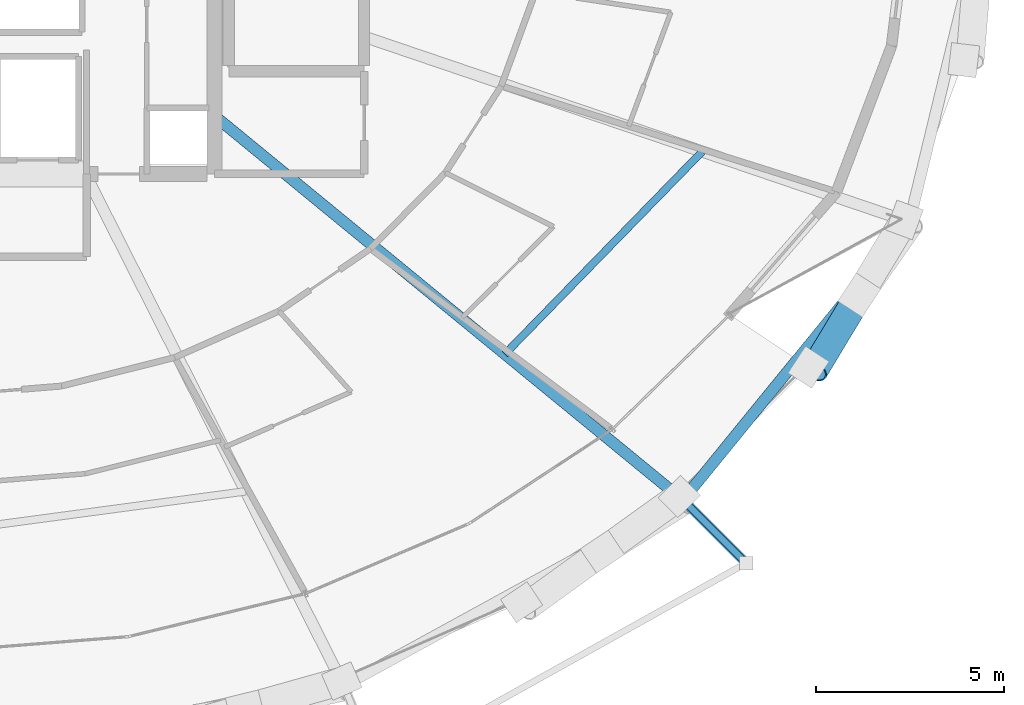
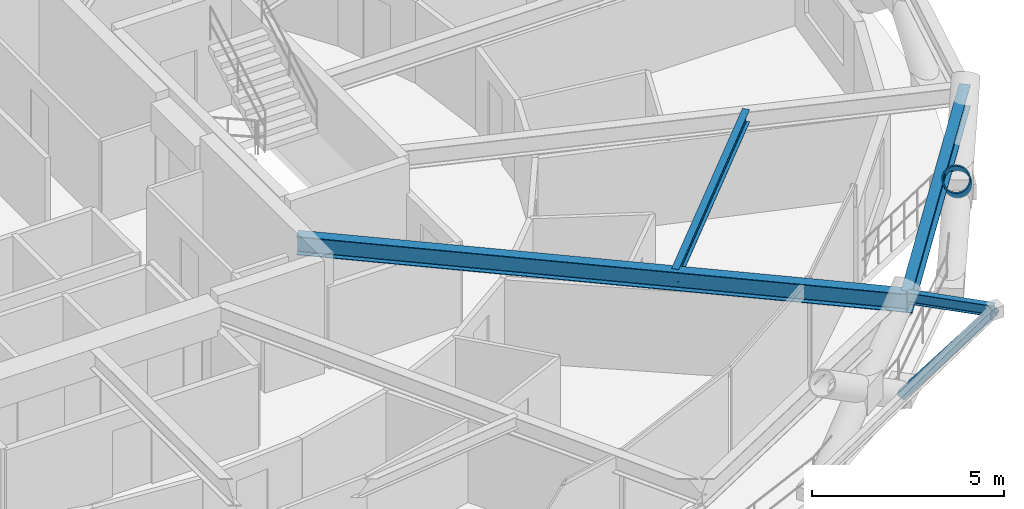
# One storey, part 9 of 19: 4 beams, 2 members.
"""IFC4 building model written with IfcOpenShell, lengths in metres."""

from ifc_helpers import new_model, si_unit, direction, frame, origin, origin_2d, place, context, subcontext, project, spatial, hollow_rectangle, hollow_circle, i_section, extrude, material, material_profile, profile_set, type_object, element, save


model = new_model("IFC4")

# Units and contexts
model_context = context("Model", 3, precision=1e-05, world=origin(), true_north=direction((0.0, 1.0)))
body_context = subcontext(model_context, "Body", "Model", "MODEL_VIEW")
ifc_project = project(units=[si_unit("LENGTHUNIT", "METRE"), si_unit("AREAUNIT", "SQUARE_METRE"), si_unit("VOLUMEUNIT", "CUBIC_METRE"), si_unit("PLANEANGLEUNIT", "RADIAN"), si_unit("MASSUNIT", "GRAM", prefix="KILO")], contexts=[model_context])

# Site, building, storey
site_placement = place(None, origin())
site = spatial("IfcSite", under=ifc_project, at=site_placement, CompositionType="ELEMENT")
building_placement = place(site_placement, origin())
building = spatial("IfcBuilding", under=site, at=building_placement, Name="Veldorina Hangang Commons", CompositionType="ELEMENT")
storey_placement = place(building_placement, frame((0.0, 0.0, 34.0)))
storey = spatial("IfcBuildingStorey", under=building, at=storey_placement, Name="L07", CompositionType="ELEMENT", Elevation=34.0)

# Beams
ifc_material_1 = material(Name="Steel SM355-TMC", Category="steel")
ifc_material_profile_1 = material_profile(ifc_material_1, i_section(OverallWidth=0.175048828125, OverallDepth=0.35009765625, WebThickness=0.007080078125, FlangeThickness=0.010986328125, FilletRadius=0.012939453125, at=origin_2d()), Name="H-350x175x7x11")
ifc_profile_set_1 = profile_set([ifc_material_profile_1], Name="Steel SM355-TMC")
beam_type_1 = type_object("IfcBeamType", Name="BM-FG350", PredefinedType="BEAM", material=ifc_profile_set_1)
beam_1_placement = place(storey_placement, frame((51.681396484375, 7.85400390625, 3.1650390625), z_axis=(0.707158722772, -0.707054835785, 0.0), x_axis=(0.707054835785, 0.707158722772, 0.0)))
element("IfcBeam", 1, at=beam_1_placement, inside=storey, type_object=beam_type_1, Name="L08 tree balcony 2 bracket beam B", PredefinedType="BEAM", context=body_context, shape_type="SweptSolid", body=[
    extrude(i_section(OverallWidth=0.175048828125, OverallDepth=0.35009765625, WebThickness=0.007080078125, FlangeThickness=0.010986328125, FilletRadius=0.012939453125, at=origin_2d()), origin(), (0.0, 0.0, 1.0), 2.35009765625),
])
ifc_material_2 = material(Name="Steel SM460-TMC", Category="steel")
ifc_material_profile_2 = material_profile(ifc_material_2, i_section(OverallWidth=0.300048828125, OverallDepth=0.587890625, WebThickness=0.011962890625, FlangeThickness=0.02001953125, FilletRadius=0.01806640625, at=origin_2d()), Name="H-588x300x12x20")
ifc_profile_set_2 = profile_set([ifc_material_profile_2], Name="Steel SM460-TMC")
beam_type_2 = type_object("IfcBeamType", Name="BM-FG588", PredefinedType="BEAM", material=ifc_profile_set_2)
beam_2_placement = place(storey_placement, frame((39.199951171875, 18.0947265625, 3.0458984375), z_axis=(0.773202871843, -0.634158749032, 0.0), x_axis=(0.634158749032, 0.773202871843, 0.0)))
element("IfcBeam", 2, at=beam_2_placement, inside=storey, type_object=beam_type_2, Name="L07 radial floor girder 15", PredefinedType="BEAM", context=body_context, shape_type="SweptSolid", body=[
    extrude(i_section(OverallWidth=0.300048828125, OverallDepth=0.587890625, WebThickness=0.011962890625, FlangeThickness=0.02001953125, FilletRadius=0.01806640625, at=origin_2d()), origin(), (0.0, 0.0, 1.0), 16.116943359375),
])
ifc_material_profile_3 = material_profile(ifc_material_1, i_section(OverallWidth=0.199951171875, OverallDepth=0.39990234375, WebThickness=0.008056640625, FlangeThickness=0.012939453125, FilletRadius=0.012939453125, at=origin_2d()), Name="H-400x200x8x13")
ifc_profile_set_3 = profile_set([ifc_material_profile_3], Name="Steel SM355-TMC")
beam_type_3 = type_object("IfcBeamType", Name="BM-JST400", PredefinedType="JOIST", material=ifc_profile_set_3)
beam_3_placement = place(storey_placement, frame((46.92626953125, 11.7578125, 3.139892578125), z_axis=(0.697829293006, 0.716264111779, 0.0), x_axis=(-0.716264111779, 0.697829293006, 0.0)))
element("IfcBeam", 3, at=beam_3_placement, inside=storey, type_object=beam_type_3, Name="L07 secondary floor joist 15", PredefinedType="JOIST", context=body_context, shape_type="SweptSolid", body=[
    extrude(i_section(OverallWidth=0.199951171875, OverallDepth=0.39990234375, WebThickness=0.008056640625, FlangeThickness=0.012939453125, FilletRadius=0.012939453125, at=origin_2d()), origin(), (0.0, 0.0, 1.0), 7.522216796875),
])
ifc_material_profile_4 = material_profile(ifc_material_2, i_section(OverallWidth=0.300048828125, OverallDepth=0.699951171875, WebThickness=0.012939453125, FlangeThickness=0.02392578125, FilletRadius=0.02197265625, at=origin_2d()), Name="H-700x300x13x24")
ifc_profile_set_4 = profile_set([ifc_material_profile_4], Name="Steel SM460-TMC")
beam_type_4 = type_object("IfcBeamType", Name="BM-RB700", PredefinedType="BEAM", material=ifc_profile_set_4)
beam_4_placement = place(storey_placement, frame((51.66162109375, 7.8740234375, 2.989990234375), z_axis=(0.631612018868, 0.775284630069, 0.0), x_axis=(-0.775284630069, 0.631612018868, 0.0)))
element("IfcBeam", 4, at=beam_4_placement, inside=storey, type_object=beam_type_4, Name="L07 perimeter hoop ring beam 28", PredefinedType="BEAM", context=body_context, shape_type="SweptSolid", body=[
    extrude(i_section(OverallWidth=0.300048828125, OverallDepth=0.699951171875, WebThickness=0.012939453125, FlangeThickness=0.02392578125, FilletRadius=0.02197265625, at=origin_2d()), origin(), (0.0, 0.0, 1.0), 9.543212890625),
])

# Members
ifc_material_profile_5 = material_profile(ifc_material_2, hollow_circle(Radius=0.375, WallThickness=0.035888671875, at=origin_2d()), Name="CHS-750x36")
ifc_profile_set_5 = profile_set([ifc_material_profile_5], Name="Steel SM460-TMC")
member_type_1 = type_object("IfcMemberType", Name="DG-CHS750", PredefinedType="BRACE", material=ifc_profile_set_5)
member_1_placement = place(storey_placement, frame((56.35546875, 13.327392578125, 1.793701171875), z_axis=(-0.409028661537, -0.679188550752, 0.609424701311), x_axis=(0.856648459493, -0.515900588145, 0.0)))
element("IfcMember", 5, at=member_1_placement, inside=storey, type_object=member_type_1, Name="L07 split perimeter diagrid upper brace 30", PredefinedType="BRACE", context=body_context, shape_type="SweptSolid", body=[
    extrude(hollow_circle(Radius=0.375, WallThickness=0.035888671875, at=origin_2d()), origin(), (0.0, 0.0, 1.0), 2.964111328125),
])
ifc_material_profile_6 = material_profile(ifc_material_1, hollow_rectangle(XDim=0.25, YDim=0.25, WallThickness=0.011962890625, at=origin_2d()), Name="SHS-250x250x12")
ifc_profile_set_6 = profile_set([ifc_material_profile_6], Name="Steel SM355-TMC")
member_type_2 = type_object("IfcMemberType", Name="STR-SHS250", PredefinedType="STRUT", material=ifc_profile_set_6)
member_2_placement = place(storey_placement, frame((51.564208984375, 7.971435546875, 0.0), z_axis=(0.440010212335, -0.440010212335, 0.782803951243), x_axis=(0.707106781187, 0.707106781187, 0.0)))
element("IfcMember", 6, at=member_2_placement, inside=storey, type_object=member_type_2, Name="L08 tree balcony 2 raking knee strut B", PredefinedType="STRUT", context=body_context, shape_type="SweptSolid", body=[
    extrude(hollow_rectangle(XDim=0.25, YDim=0.25, WallThickness=0.011962890625, at=origin_2d()), origin(), (0.0, 0.0, 1.0), 4.043212890625),
])

save(model, "model.ifc")
